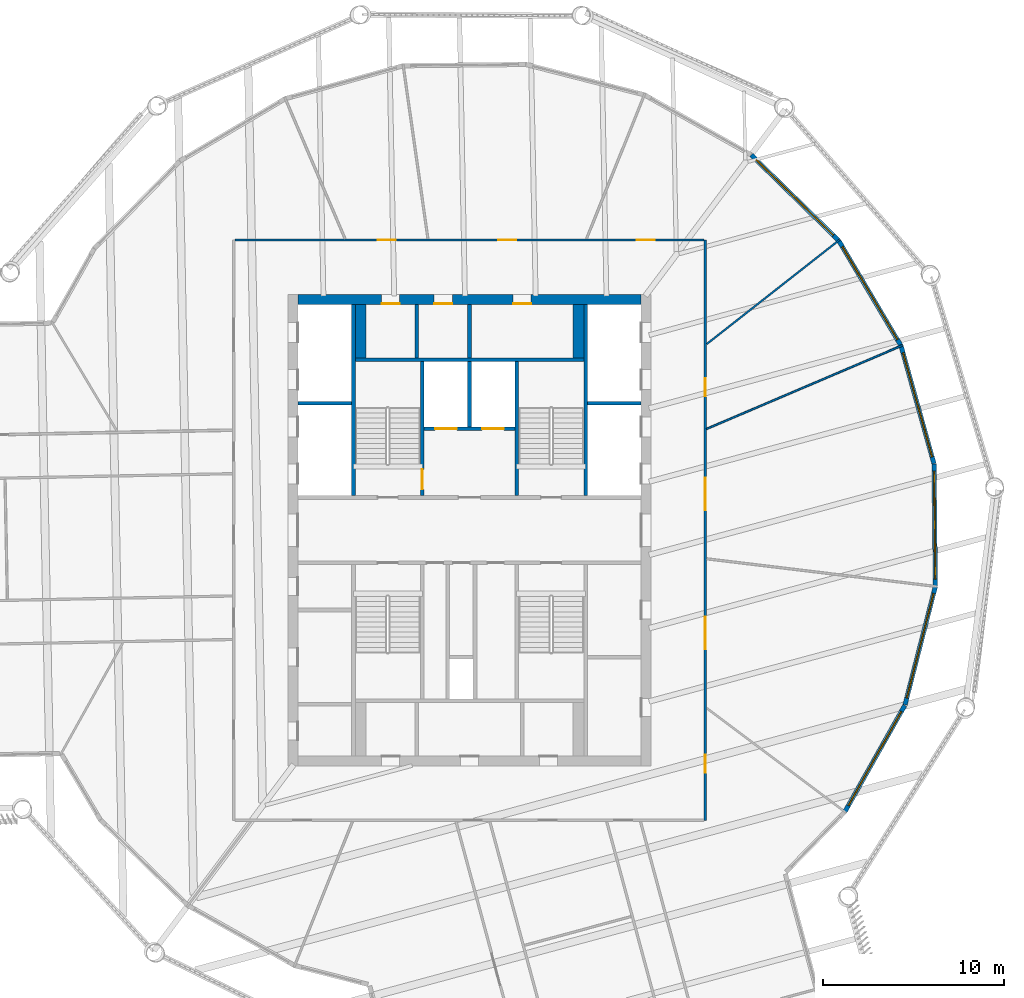
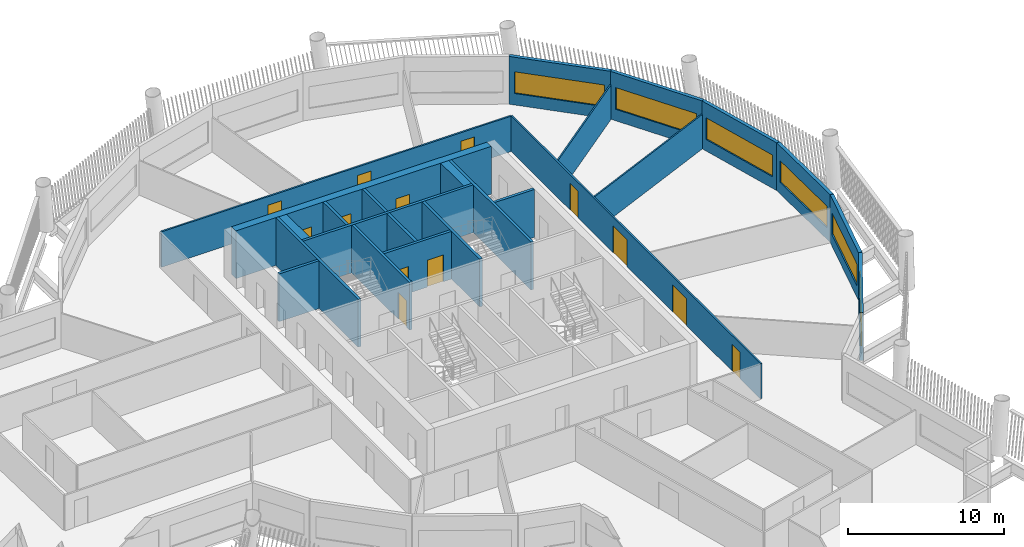
# One storey, part 6 of 15: 24 walls, 13 doors, 6 windows, 19 openings.
"""IFC4 building model written with IfcOpenShell, lengths in metres."""

from ifc_helpers import new_model, si_unit, direction, frame, frame_2d, origin, place, context, subcontext, project, spatial, rectangle, extrude, material, layer, layer_set, type_object, element, fill, save


model = new_model("IFC4")

# Units and contexts
model_context = context("Model", 3, precision=1e-05, world=origin(), true_north=direction((0.0, 1.0)))
body_context = subcontext(model_context, "Body", "Model", "MODEL_VIEW")
ifc_project = project(units=[si_unit("LENGTHUNIT", "METRE"), si_unit("AREAUNIT", "SQUARE_METRE"), si_unit("VOLUMEUNIT", "CUBIC_METRE"), si_unit("PLANEANGLEUNIT", "RADIAN"), si_unit("MASSUNIT", "GRAM", prefix="KILO")], contexts=[model_context])

# Site, building, storey
site_placement = place(None, origin())
site = spatial("IfcSite", under=ifc_project, at=site_placement, CompositionType="ELEMENT")
building_placement = place(site_placement, origin())
building = spatial("IfcBuilding", under=site, at=building_placement, Name="Tarsis Ring Headquarters", CompositionType="ELEMENT")
storey_placement = place(building_placement, frame((0.0, 0.0, 290.300048828125)))
storey = spatial("IfcBuildingStorey", under=building, at=storey_placement, Name="L68", CompositionType="ELEMENT", Elevation=290.300048828125)

# Walls
ifc_material_1 = material(Name="Blockwork", Category="masonry")
ifc_layer_1 = layer(ifc_material_1, 0.199951171875)
ifc_layer_set_1 = layer_set([ifc_layer_1], Name="Core blockwork wall 200")
wall_type_1 = type_object("IfcWallType", Name="Core blockwork wall 200", PredefinedType="PARTITIONING", material=ifc_layer_set_1)
for number, where, z_axis, x_axis, name in (
    (1, (-2.89990234375, 9.5, 0.0), (0.0, 0.0, 1.0), (0.0, 1.0, 0.0), "Core partition ND1"),
    (2, (0.0, 9.5, 0.0), (0.0, 0.0, 1.0), (0.0, 1.0, 0.0), "Core partition ND2"),
):
    element("IfcWall", number, at=place(storey_placement, frame(where, z_axis=z_axis, x_axis=x_axis)), inside=storey, type_object=wall_type_1, Name=name, PredefinedType="PARTITIONING", context=body_context, shape_type="SweptSolid", body=[
        extrude(rectangle(XDim=2.949951171875, YDim=0.199951171875, at=frame_2d((1.47509765625, 0.0))), origin(), (0.0, 0.0, 1.0), 3.739990234375),
    ])

# Wall, openings, doors
ifc_material_2 = material(Name="Concrete C50/60", Category="concrete")
ifc_layer_2 = layer(ifc_material_2, 0.550048828125)
ifc_layer_set_2 = layer_set([ifc_layer_2], Name="Core wall 550 C50/60")
wall_type_2 = type_object("IfcWallType", Name="Core wall 550 C50/60", PredefinedType="SHEAR", material=ifc_layer_set_2)
wall_1_placement = place(storey_placement, frame((-9.449951171875, 12.72509765625, 0.0), z_axis=(0.0, 0.0, 1.0), x_axis=(1.0, 0.0, 0.0)))
wall_1 = element("IfcWall", 3, at=wall_1_placement, inside=storey, type_object=wall_type_2, Name="Core wall ON", PredefinedType="SHEAR", context=body_context, shape_type="SweptSolid", body=[
    extrude(rectangle(XDim=18.89990234375, YDim=0.550048828125, at=frame_2d((9.449951171875, 0.0))), origin(), (0.0, 0.0, 1.0), 3.739990234375),
])
opening_1_placement = place(wall_1_placement, frame((4.60009765625, 0.0, 0.0)))
opening_1 = element("IfcOpeningElement", 4, at=opening_1_placement, cuts=wall_1, Name="Opening L68-C16", PredefinedType="OPENING", context=body_context, shape_type="SweptSolid", body=[
    extrude(rectangle(XDim=1.0, YDim=2.10009765625, at=frame_2d((0.5, 1.050048828125))), frame((0.0, 0.284912109375, 0.0), z_axis=(0.0, -1.0, 0.0), x_axis=(1.0, 0.0, 0.0)), (0.0, 0.0, 1.0), 0.570068359375),
])
opening_2_placement = place(wall_1_placement, frame((7.5, 0.0, 0.0)))
opening_2 = element("IfcOpeningElement", 5, at=opening_2_placement, cuts=wall_1, Name="Opening L68-C17", PredefinedType="OPENING", context=body_context, shape_type="SweptSolid", body=[
    extrude(rectangle(XDim=1.0, YDim=2.10009765625, at=frame_2d((0.5, 1.050048828125))), frame((0.0, 0.284912109375, 0.0), z_axis=(0.0, -1.0, 0.0), x_axis=(1.0, 0.0, 0.0)), (0.0, 0.0, 1.0), 0.570068359375),
])
opening_3_placement = place(wall_1_placement, frame((11.85009765625, 0.0, 0.0)))
opening_3 = element("IfcOpeningElement", 6, at=opening_3_placement, cuts=wall_1, Name="Opening L68-C18", PredefinedType="OPENING", context=body_context, shape_type="SweptSolid", body=[
    extrude(rectangle(XDim=1.0, YDim=2.10009765625, at=frame_2d((0.5, 1.050048828125))), frame((0.0, 0.284912109375, 0.0), z_axis=(0.0, -1.0, 0.0), x_axis=(1.0, 0.0, 0.0)), (0.0, 0.0, 1.0), 0.570068359375),
])
ifc_material_3 = material(Name="Steel S355", Category="steel")
door_type_1 = type_object("IfcDoorType", Name="Core room door 1000x2100", OperationType="SINGLE_SWING_LEFT", PredefinedType="DOOR", material=ifc_material_3)
door_1_placement = place(opening_1_placement, origin())
door_1 = element("IfcDoor", 7, at=door_1_placement, inside=storey, type_object=door_type_1, Name="Core room door L68", OperationType="SINGLE_SWING_LEFT", OverallHeight=2.10009765625, OverallWidth=1.0, PredefinedType="DOOR", context=body_context, shape_type="SweptSolid", body=[
    extrude(rectangle(XDim=1.0, YDim=2.10009765625, at=frame_2d((0.5, 1.050048828125))), frame((0.0, -0.22509765625, 0.0), z_axis=(0.0, -1.0, 0.0), x_axis=(1.0, 0.0, 0.0)), (0.0, 0.0, 1.0), 0.050048828125),
])
fill(opening_1, door_1)
door_2_placement = place(opening_2_placement, origin())
door_2 = element("IfcDoor", 8, at=door_2_placement, inside=storey, type_object=door_type_1, Name="Core room door L68", OperationType="SINGLE_SWING_LEFT", OverallHeight=2.10009765625, OverallWidth=1.0, PredefinedType="DOOR", context=body_context, shape_type="SweptSolid", body=[
    extrude(rectangle(XDim=1.0, YDim=2.10009765625, at=frame_2d((0.5, 1.050048828125))), frame((0.0, -0.22509765625, 0.0), z_axis=(0.0, -1.0, 0.0), x_axis=(1.0, 0.0, 0.0)), (0.0, 0.0, 1.0), 0.050048828125),
])
fill(opening_2, door_2)
door_3_placement = place(opening_3_placement, origin())
door_3 = element("IfcDoor", 9, at=door_3_placement, inside=storey, type_object=door_type_1, Name="Core room door L68", OperationType="SINGLE_SWING_LEFT", OverallHeight=2.10009765625, OverallWidth=1.0, PredefinedType="DOOR", context=body_context, shape_type="SweptSolid", body=[
    extrude(rectangle(XDim=1.0, YDim=2.10009765625, at=frame_2d((0.5, 1.050048828125))), frame((0.0, -0.22509765625, 0.0), z_axis=(0.0, -1.0, 0.0), x_axis=(1.0, 0.0, 0.0)), (0.0, 0.0, 1.0), 0.050048828125),
])
fill(opening_3, door_3)

# Walls
ifc_material_4 = material(Name="Gypsum board on steel studs", Category="steel")
ifc_layer_3 = layer(ifc_material_4, 0.10009765625)
ifc_layer_set_3 = layer_set([ifc_layer_3], Name="FL partition 100 unrated")
wall_type_3 = type_object("IfcWallType", Name="FL partition 100 unrated", PredefinedType="PARTITIONING", material=ifc_layer_set_3)
wall_2_placement = place(storey_placement, frame((13.073486328125, 5.581787109375, 0.0), z_axis=(0.0, 0.0, 1.0), x_axis=(0.919683401942, 0.392660718932, 0.0)))
element("IfcWall", 10, at=wall_2_placement, inside=storey, type_object=wall_type_3, Name="Partition PW3", PredefinedType="PARTITIONING", context=body_context, shape_type="SweptSolid", body=[
    extrude(rectangle(XDim=11.732666015625, YDim=0.10009765625, at=frame_2d((5.8662109375, 0.0))), origin(), (0.0, 0.0, 1.0), 2.699951171875),
])
wall_3_placement = place(storey_placement, frame((13.08642578125, 10.2685546875, 0.0), z_axis=(0.0, 0.0, 1.0), x_axis=(0.786733849379, 0.617292353947, 0.0)))
element("IfcWall", 11, at=wall_3_placement, inside=storey, type_object=wall_type_3, Name="Partition PW3", PredefinedType="PARTITIONING", context=body_context, shape_type="SweptSolid", body=[
    extrude(rectangle(XDim=9.313720703125, YDim=0.10009765625, at=frame_2d((4.65673828125, 0.0))), origin(), (0.0, 0.0, 1.0), 2.699951171875),
])

# Wall, openings, doors
ifc_layer_4 = layer(ifc_material_4, 0.125)
ifc_layer_set_4 = layer_set([ifc_layer_4], Name="FL partition 125 EI 60 H2770")
wall_type_4 = type_object("IfcWallType", Name="FL partition 125 EI 60 H2770", PredefinedType="PARTITIONING", material=ifc_layer_set_4)
wall_4_placement = place(storey_placement, frame((13.0, -16.0, 0.0), z_axis=(0.0, 0.0, 1.0), x_axis=(0.0, 1.0, 0.0)))
wall_4 = element("IfcWall", 12, at=wall_4_placement, inside=storey, type_object=wall_type_4, Name="Partition PW1", PredefinedType="PARTITIONING", context=body_context, shape_type="SweptSolid", body=[
    extrude(rectangle(XDim=32.0, YDim=0.125, at=frame_2d((16.0, 0.0))), origin(), (0.0, 0.0, 1.0), 2.77001953125),
])
opening_4_placement = place(wall_4_placement, frame((23.37548828125, 0.0, 0.0)))
opening_4 = element("IfcOpeningElement", 13, at=opening_4_placement, cuts=wall_4, Name="Opening D68.07", PredefinedType="OPENING", context=body_context, shape_type="SweptSolid", body=[
    extrude(rectangle(XDim=1.0, YDim=2.10009765625, at=frame_2d((0.5, 1.050048828125))), frame((0.0, 0.072509765625, 0.0), z_axis=(0.0, -1.0, 0.0), x_axis=(1.0, 0.0, 0.0)), (0.0, 0.0, 1.0), 0.14501953125),
])
opening_5_placement = place(wall_4_placement, frame((17.0908203125, 0.0, 0.0)))
opening_5 = element("IfcOpeningElement", 14, at=opening_5_placement, cuts=wall_4, Name="Opening D68.08", PredefinedType="OPENING", context=body_context, shape_type="SweptSolid", body=[
    extrude(rectangle(XDim=1.800048828125, YDim=2.10009765625, at=frame_2d((0.89990234375, 1.050048828125))), frame((0.0, 0.072509765625, 0.0), z_axis=(0.0, -1.0, 0.0), x_axis=(1.0, 0.0, 0.0)), (0.0, 0.0, 1.0), 0.14501953125),
])
opening_6_placement = place(wall_4_placement, frame((9.43896484375, 0.0, 0.0)))
opening_6 = element("IfcOpeningElement", 15, at=opening_6_placement, cuts=wall_4, Name="Opening D68.09", PredefinedType="OPENING", context=body_context, shape_type="SweptSolid", body=[
    extrude(rectangle(XDim=1.800048828125, YDim=2.10009765625, at=frame_2d((0.89990234375, 1.050048828125))), frame((0.0, 0.072509765625, 0.0), z_axis=(0.0, -1.0, 0.0), x_axis=(1.0, 0.0, 0.0)), (0.0, 0.0, 1.0), 0.14501953125),
])
opening_7_placement = place(wall_4_placement, frame((2.623291015625, 0.0, 0.0)))
opening_7 = element("IfcOpeningElement", 16, at=opening_7_placement, cuts=wall_4, Name="Opening D68.10", PredefinedType="OPENING", context=body_context, shape_type="SweptSolid", body=[
    extrude(rectangle(XDim=1.0, YDim=2.10009765625, at=frame_2d((0.5, 1.050048828125))), frame((0.0, 0.072509765625, 0.0), z_axis=(0.0, -1.0, 0.0), x_axis=(1.0, 0.0, 0.0)), (0.0, 0.0, 1.0), 0.14501953125),
])
ifc_material_5 = material(Name="Fire-rated timber door leaf in steel frame", Category="steel")
door_type_2 = type_object("IfcDoorType", Name="FL door FD60-1000", OperationType="NOTDEFINED", PredefinedType="DOOR", material=ifc_material_5)
door_4_placement = place(opening_4_placement, origin())
door_4 = element("IfcDoor", 17, at=door_4_placement, inside=storey, type_object=door_type_2, Name="Door D68.07", OperationType="SINGLE_SWING_LEFT", OverallHeight=2.10009765625, OverallWidth=1.0, PredefinedType="DOOR", context=body_context, shape_type="SweptSolid", body=[
    extrude(rectangle(XDim=1.0, YDim=2.10009765625, at=frame_2d((0.5, 1.050048828125))), frame((0.0, 0.02490234375, 0.0), z_axis=(0.0, -1.0, 0.0), x_axis=(1.0, 0.0, 0.0)), (0.0, 0.0, 1.0), 0.050048828125),
])
fill(opening_4, door_4)
door_5_placement = place(opening_7_placement, origin())
door_5 = element("IfcDoor", 18, at=door_5_placement, inside=storey, type_object=door_type_2, Name="Door D68.10", OperationType="SINGLE_SWING_RIGHT", OverallHeight=2.10009765625, OverallWidth=1.0, PredefinedType="DOOR", context=body_context, shape_type="SweptSolid", body=[
    extrude(rectangle(XDim=1.0, YDim=2.10009765625, at=frame_2d((0.5, 1.050048828125))), frame((0.0, 0.02490234375, 0.0), z_axis=(0.0, -1.0, 0.0), x_axis=(1.0, 0.0, 0.0)), (0.0, 0.0, 1.0), 0.050048828125),
])
fill(opening_7, door_5)
door_type_3 = type_object("IfcDoorType", Name="FL door FD60-1800", OperationType="DOUBLE_DOOR_SINGLE_SWING", PredefinedType="DOOR", material=ifc_material_5)
door_6_placement = place(opening_5_placement, origin())
door_6 = element("IfcDoor", 19, at=door_6_placement, inside=storey, type_object=door_type_3, Name="Door D68.08", OperationType="DOUBLE_DOOR_SINGLE_SWING", OverallHeight=2.10009765625, OverallWidth=1.800048828125, PredefinedType="DOOR", context=body_context, shape_type="SweptSolid", body=[
    extrude(rectangle(XDim=1.800048828125, YDim=2.10009765625, at=frame_2d((0.89990234375, 1.050048828125))), frame((0.0, 0.02490234375, 0.0), z_axis=(0.0, -1.0, 0.0), x_axis=(1.0, 0.0, 0.0)), (0.0, 0.0, 1.0), 0.050048828125),
])
fill(opening_5, door_6)
door_7_placement = place(opening_6_placement, origin())
door_7 = element("IfcDoor", 20, at=door_7_placement, inside=storey, type_object=door_type_3, Name="Door D68.09", OperationType="DOUBLE_DOOR_SINGLE_SWING", OverallHeight=2.10009765625, OverallWidth=1.800048828125, PredefinedType="DOOR", context=body_context, shape_type="SweptSolid", body=[
    extrude(rectangle(XDim=1.800048828125, YDim=2.10009765625, at=frame_2d((0.89990234375, 1.050048828125))), frame((0.0, 0.02490234375, 0.0), z_axis=(0.0, -1.0, 0.0), x_axis=(1.0, 0.0, 0.0)), (0.0, 0.0, 1.0), 0.050048828125),
])
fill(opening_6, door_7)

wall_5_placement = place(storey_placement, frame((-12.93994140625, 16.0, 0.0), z_axis=(0.0, 0.0, 1.0), x_axis=(1.0, 0.0, 0.0)))
wall_5 = element("IfcWall", 21, at=wall_5_placement, inside=storey, type_object=wall_type_4, Name="Partition PW1", PredefinedType="PARTITIONING", context=body_context, shape_type="SweptSolid", body=[
    extrude(rectangle(XDim=25.8798828125, YDim=0.125, at=frame_2d((12.93994140625, 0.0))), origin(), (0.0, 0.0, 1.0), 2.77001953125),
])
opening_8_placement = place(wall_5_placement, frame((7.883056640625, 0.0, 0.0)))
opening_8 = element("IfcOpeningElement", 22, at=opening_8_placement, cuts=wall_5, Name="Opening D68.04", PredefinedType="OPENING", context=body_context, shape_type="SweptSolid", body=[
    extrude(rectangle(XDim=1.0, YDim=2.10009765625, at=frame_2d((0.5, 1.050048828125))), frame((0.0, 0.072509765625, 0.0), z_axis=(0.0, -1.0, 0.0), x_axis=(1.0, 0.0, 0.0)), (0.0, 0.0, 1.0), 0.14501953125),
])
opening_9_placement = place(wall_5_placement, frame((14.51123046875, 0.0, 0.0)))
opening_9 = element("IfcOpeningElement", 23, at=opening_9_placement, cuts=wall_5, Name="Opening D68.05", PredefinedType="OPENING", context=body_context, shape_type="SweptSolid", body=[
    extrude(rectangle(XDim=1.0, YDim=2.10009765625, at=frame_2d((0.5, 1.050048828125))), frame((0.0, 0.072509765625, 0.0), z_axis=(0.0, -1.0, 0.0), x_axis=(1.0, 0.0, 0.0)), (0.0, 0.0, 1.0), 0.14501953125),
])
opening_10_placement = place(wall_5_placement, frame((22.152587890625, 0.0, 0.0)))
opening_10 = element("IfcOpeningElement", 24, at=opening_10_placement, cuts=wall_5, Name="Opening D68.06", PredefinedType="OPENING", context=body_context, shape_type="SweptSolid", body=[
    extrude(rectangle(XDim=1.0, YDim=2.10009765625, at=frame_2d((0.5, 1.050048828125))), frame((0.0, 0.072509765625, 0.0), z_axis=(0.0, -1.0, 0.0), x_axis=(1.0, 0.0, 0.0)), (0.0, 0.0, 1.0), 0.14501953125),
])
door_8_placement = place(opening_8_placement, origin())
door_8 = element("IfcDoor", 25, at=door_8_placement, inside=storey, type_object=door_type_2, Name="Door D68.04", OperationType="SINGLE_SWING_RIGHT", OverallHeight=2.10009765625, OverallWidth=1.0, PredefinedType="DOOR", context=body_context, shape_type="SweptSolid", body=[
    extrude(rectangle(XDim=1.0, YDim=2.10009765625, at=frame_2d((0.5, 1.050048828125))), frame((0.0, 0.02490234375, 0.0), z_axis=(0.0, -1.0, 0.0), x_axis=(1.0, 0.0, 0.0)), (0.0, 0.0, 1.0), 0.050048828125),
])
fill(opening_8, door_8)
door_9_placement = place(opening_9_placement, origin())
door_9 = element("IfcDoor", 26, at=door_9_placement, inside=storey, type_object=door_type_2, Name="Door D68.05", OperationType="SINGLE_SWING_LEFT", OverallHeight=2.10009765625, OverallWidth=1.0, PredefinedType="DOOR", context=body_context, shape_type="SweptSolid", body=[
    extrude(rectangle(XDim=1.0, YDim=2.10009765625, at=frame_2d((0.5, 1.050048828125))), frame((0.0, 0.02490234375, 0.0), z_axis=(0.0, -1.0, 0.0), x_axis=(1.0, 0.0, 0.0)), (0.0, 0.0, 1.0), 0.050048828125),
])
fill(opening_9, door_9)
door_10_placement = place(opening_10_placement, origin())
door_10 = element("IfcDoor", 27, at=door_10_placement, inside=storey, type_object=door_type_2, Name="Door D68.06", OperationType="SINGLE_SWING_RIGHT", OverallHeight=2.10009765625, OverallWidth=1.0, PredefinedType="DOOR", context=body_context, shape_type="SweptSolid", body=[
    extrude(rectangle(XDim=1.0, YDim=2.10009765625, at=frame_2d((0.5, 1.050048828125))), frame((0.0, 0.02490234375, 0.0), z_axis=(0.0, -1.0, 0.0), x_axis=(1.0, 0.0, 0.0)), (0.0, 0.0, 1.0), 0.050048828125),
])
fill(opening_10, door_10)

# Wall, opening, window
ifc_material_6 = material(Name="Terracotta clad insulated panel wall", Category="masonry")
ifc_layer_5 = layer(ifc_material_6, 0.25)
ifc_layer_set_5 = layer_set([ifc_layer_5], Name="Facade wall terracotta panel 250")
wall_type_5 = type_object("IfcWallType", Name="Facade wall terracotta panel 250", PredefinedType="STANDARD", material=ifc_layer_set_5)
wall_6_placement = place(storey_placement, frame((20.70458984375, -15.513671875, 0.0), z_axis=(0.0, 0.0, 1.0), x_axis=(0.490566444646, 0.871403788945, 0.0)))
wall_6 = element("IfcWall", 28, at=wall_6_placement, inside=storey, type_object=wall_type_5, Name="External wall L68-18", PredefinedType="STANDARD", context=body_context, shape_type="SweptSolid", body=[
    extrude(rectangle(XDim=6.721435546875, YDim=0.25, at=frame_2d((3.36083984375, 0.0))), origin(), (0.0, 0.0, 1.0), 3.739990234375),
])
opening_11_placement = place(wall_6_placement, frame((0.3857421875, 0.0, 0.89990234375)))
opening_11 = element("IfcOpeningElement", 29, at=opening_11_placement, cuts=wall_6, Name="Opening WN07", PredefinedType="OPENING", context=body_context, shape_type="SweptSolid", body=[
    extrude(rectangle(XDim=5.949951171875, YDim=1.699951171875, at=frame_2d((2.97509765625, 0.85009765625))), frame((0.0, 0.135009765625, 0.0), z_axis=(0.0, -1.0, 0.0), x_axis=(1.0, 0.0, 0.0)), (0.0, 0.0, 1.0), 0.27001953125),
])
ifc_material_7 = material(Name="Aluminium framed double glazing", Category="aluminium")
window_type = type_object("IfcWindowType", Name="Facade window 5950 x 1700", PartitioningType="SINGLE_PANEL", PredefinedType="WINDOW", material=ifc_material_7)
window_1_placement = place(opening_11_placement, origin())
window_1 = element("IfcWindow", 30, at=window_1_placement, inside=storey, type_object=window_type, Name="Window L68-18.1", OverallHeight=1.699951171875, OverallWidth=5.949951171875, PartitioningType="SINGLE_PANEL", PredefinedType="WINDOW", context=body_context, shape_type="SweptSolid", body=[
    extrude(rectangle(XDim=5.949951171875, YDim=1.699951171875, at=frame_2d((2.97509765625, 0.85009765625))), frame((0.0, 0.030029296875, 0.0), z_axis=(0.0, -1.0, 0.0), x_axis=(1.0, 0.0, 0.0)), (0.0, 0.0, 1.0), 0.06005859375),
])
fill(opening_11, window_1)

wall_7_placement = place(storey_placement, frame((24.01416015625, -9.626220703125, 0.0), z_axis=(0.0, 0.0, 1.0), x_axis=(0.248377098077, 0.968663417886, 0.0)))
wall_7 = element("IfcWall", 31, at=wall_7_placement, inside=storey, type_object=wall_type_5, Name="External wall L68-19", PredefinedType="STANDARD", context=body_context, shape_type="SweptSolid", body=[
    extrude(rectangle(XDim=6.721435546875, YDim=0.25, at=frame_2d((3.36083984375, 0.0))), origin(), (0.0, 0.0, 1.0), 3.739990234375),
])
opening_12_placement = place(wall_7_placement, frame((0.3857421875, 0.0, 0.89990234375)))
opening_12 = element("IfcOpeningElement", 32, at=opening_12_placement, cuts=wall_7, Name="Opening WN07", PredefinedType="OPENING", context=body_context, shape_type="SweptSolid", body=[
    extrude(rectangle(XDim=5.949951171875, YDim=1.699951171875, at=frame_2d((2.97509765625, 0.85009765625))), frame((0.0, 0.135009765625, 0.0), z_axis=(0.0, -1.0, 0.0), x_axis=(1.0, 0.0, 0.0)), (0.0, 0.0, 1.0), 0.27001953125),
])
window_2_placement = place(opening_12_placement, origin())
window_2 = element("IfcWindow", 33, at=window_2_placement, inside=storey, type_object=window_type, Name="Window L68-19.1", OverallHeight=1.699951171875, OverallWidth=5.949951171875, PartitioningType="SINGLE_PANEL", PredefinedType="WINDOW", context=body_context, shape_type="SweptSolid", body=[
    extrude(rectangle(XDim=5.949951171875, YDim=1.699951171875, at=frame_2d((2.97509765625, 0.85009765625))), frame((0.0, 0.030029296875, 0.0), z_axis=(0.0, -1.0, 0.0), x_axis=(1.0, 0.0, 0.0)), (0.0, 0.0, 1.0), 0.06005859375),
])
fill(opening_12, window_2)

wall_8_placement = place(storey_placement, frame((25.6875, -3.0830078125, 0.0), z_axis=(0.0, 0.0, 1.0), x_axis=(-0.010823920925, 0.999941419652, 0.0)))
wall_8 = element("IfcWall", 34, at=wall_8_placement, inside=storey, type_object=wall_type_5, Name="External wall L68-20", PredefinedType="STANDARD", context=body_context, shape_type="SweptSolid", body=[
    extrude(rectangle(XDim=6.7216796875, YDim=0.25, at=frame_2d((3.36083984375, 0.0))), origin(), (0.0, 0.0, 1.0), 3.739990234375),
])
opening_13_placement = place(wall_8_placement, frame((0.3857421875, 0.0, 0.89990234375)))
opening_13 = element("IfcOpeningElement", 35, at=opening_13_placement, cuts=wall_8, Name="Opening WN07", PredefinedType="OPENING", context=body_context, shape_type="SweptSolid", body=[
    extrude(rectangle(XDim=5.949951171875, YDim=1.699951171875, at=frame_2d((2.97509765625, 0.85009765625))), frame((0.0, 0.135009765625, 0.0), z_axis=(0.0, -1.0, 0.0), x_axis=(1.0, 0.0, 0.0)), (0.0, 0.0, 1.0), 0.27001953125),
])
window_3_placement = place(opening_13_placement, origin())
window_3 = element("IfcWindow", 36, at=window_3_placement, inside=storey, type_object=window_type, Name="Window L68-20.1", OverallHeight=1.699951171875, OverallWidth=5.949951171875, PartitioningType="SINGLE_PANEL", PredefinedType="WINDOW", context=body_context, shape_type="SweptSolid", body=[
    extrude(rectangle(XDim=5.949951171875, YDim=1.699951171875, at=frame_2d((2.97509765625, 0.85009765625))), frame((0.0, 0.030029296875, 0.0), z_axis=(0.0, -1.0, 0.0), x_axis=(1.0, 0.0, 0.0)), (0.0, 0.0, 1.0), 0.06005859375),
])
fill(opening_13, window_3)

wall_9_placement = place(storey_placement, frame((25.610107421875, 3.67041015625, 0.0), z_axis=(0.0, 0.0, 1.0), x_axis=(-0.269252676613, 0.963069569728, 0.0)))
wall_9 = element("IfcWall", 37, at=wall_9_placement, inside=storey, type_object=wall_type_5, Name="External wall L68-21", PredefinedType="STANDARD", context=body_context, shape_type="SweptSolid", body=[
    extrude(rectangle(XDim=6.7216796875, YDim=0.25, at=frame_2d((3.36083984375, 0.0))), origin(), (0.0, 0.0, 1.0), 3.739990234375),
])
opening_14_placement = place(wall_9_placement, frame((0.3857421875, 0.0, 0.89990234375)))
opening_14 = element("IfcOpeningElement", 38, at=opening_14_placement, cuts=wall_9, Name="Opening WN07", PredefinedType="OPENING", context=body_context, shape_type="SweptSolid", body=[
    extrude(rectangle(XDim=5.949951171875, YDim=1.699951171875, at=frame_2d((2.97509765625, 0.85009765625))), frame((0.0, 0.135009765625, 0.0), z_axis=(0.0, -1.0, 0.0), x_axis=(1.0, 0.0, 0.0)), (0.0, 0.0, 1.0), 0.27001953125),
])
window_4_placement = place(opening_14_placement, origin())
window_4 = element("IfcWindow", 39, at=window_4_placement, inside=storey, type_object=window_type, Name="Window L68-21.1", OverallHeight=1.699951171875, OverallWidth=5.949951171875, PartitioningType="SINGLE_PANEL", PredefinedType="WINDOW", context=body_context, shape_type="SweptSolid", body=[
    extrude(rectangle(XDim=5.949951171875, YDim=1.699951171875, at=frame_2d((2.97509765625, 0.85009765625))), frame((0.0, 0.030029296875, 0.0), z_axis=(0.0, -1.0, 0.0), x_axis=(1.0, 0.0, 0.0)), (0.0, 0.0, 1.0), 0.06005859375),
])
fill(opening_14, window_4)

wall_10_placement = place(storey_placement, frame((23.787353515625, 10.173828125, 0.0), z_axis=(0.0, 0.0, 1.0), x_axis=(-0.509326383867, 0.860573433646, 0.0)))
wall_10 = element("IfcWall", 40, at=wall_10_placement, inside=storey, type_object=wall_type_5, Name="External wall L68-22", PredefinedType="STANDARD", context=body_context, shape_type="SweptSolid", body=[
    extrude(rectangle(XDim=6.72119140625, YDim=0.25, at=frame_2d((3.360595703125, 0.0))), origin(), (0.0, 0.0, 1.0), 3.739990234375),
])
opening_15_placement = place(wall_10_placement, frame((0.3857421875, 0.0, 0.89990234375)))
opening_15 = element("IfcOpeningElement", 41, at=opening_15_placement, cuts=wall_10, Name="Opening WN07", PredefinedType="OPENING", context=body_context, shape_type="SweptSolid", body=[
    extrude(rectangle(XDim=5.949951171875, YDim=1.699951171875, at=frame_2d((2.97509765625, 0.85009765625))), frame((0.0, 0.135009765625, 0.0), z_axis=(0.0, -1.0, 0.0), x_axis=(1.0, 0.0, 0.0)), (0.0, 0.0, 1.0), 0.27001953125),
])
window_5_placement = place(opening_15_placement, origin())
window_5 = element("IfcWindow", 42, at=window_5_placement, inside=storey, type_object=window_type, Name="Window L68-22.1", OverallHeight=1.699951171875, OverallWidth=5.949951171875, PartitioningType="SINGLE_PANEL", PredefinedType="WINDOW", context=body_context, shape_type="SweptSolid", body=[
    extrude(rectangle(XDim=5.949951171875, YDim=1.699951171875, at=frame_2d((2.97509765625, 0.85009765625))), frame((0.0, 0.030029296875, 0.0), z_axis=(0.0, -1.0, 0.0), x_axis=(1.0, 0.0, 0.0)), (0.0, 0.0, 1.0), 0.06005859375),
])
fill(opening_15, window_5)

wall_11_placement = place(storey_placement, frame((20.34375, 15.983642578125, 0.0), z_axis=(0.0, 0.0, 1.0), x_axis=(-0.714711259509, 0.699419627642, 0.0)))
wall_11 = element("IfcWall", 43, at=wall_11_placement, inside=storey, type_object=wall_type_5, Name="External wall L68-23", PredefinedType="STANDARD", context=body_context, shape_type="SweptSolid", body=[
    extrude(rectangle(XDim=6.721435546875, YDim=0.25, at=frame_2d((3.36083984375, 0.0))), origin(), (0.0, 0.0, 1.0), 3.739990234375),
])
opening_16_placement = place(wall_11_placement, frame((0.3857421875, 0.0, 0.89990234375)))
opening_16 = element("IfcOpeningElement", 44, at=opening_16_placement, cuts=wall_11, Name="Opening WN07", PredefinedType="OPENING", context=body_context, shape_type="SweptSolid", body=[
    extrude(rectangle(XDim=5.949951171875, YDim=1.699951171875, at=frame_2d((2.97509765625, 0.85009765625))), frame((0.0, 0.135009765625, 0.0), z_axis=(0.0, -1.0, 0.0), x_axis=(1.0, 0.0, 0.0)), (0.0, 0.0, 1.0), 0.27001953125),
])
window_6_placement = place(opening_16_placement, origin())
window_6 = element("IfcWindow", 45, at=window_6_placement, inside=storey, type_object=window_type, Name="Window L68-23.1", OverallHeight=1.699951171875, OverallWidth=5.949951171875, PartitioningType="SINGLE_PANEL", PredefinedType="WINDOW", context=body_context, shape_type="SweptSolid", body=[
    extrude(rectangle(XDim=5.949951171875, YDim=1.699951171875, at=frame_2d((2.97509765625, 0.85009765625))), frame((0.0, 0.030029296875, 0.0), z_axis=(0.0, -1.0, 0.0), x_axis=(1.0, 0.0, 0.0)), (0.0, 0.0, 1.0), 0.06005859375),
])
fill(opening_16, window_6)

# Walls
ifc_material_8 = material(Name="Concrete C32/40", Category="concrete")
ifc_layer_6 = layer(ifc_material_8, 0.60009765625)
ifc_layer_set_6 = layer_set([ifc_layer_6], Name="Shaft end wall 600 C32/40")
wall_type_6 = type_object("IfcWallType", Name="Shaft end wall 600 C32/40", PredefinedType="SOLIDWALL", material=ifc_layer_set_6)
for number, where, z_axis, x_axis, name in (
    (46, (-6.0, 9.5, 0.0), (0.0, 0.0, 1.0), (0.0, 1.0, 0.0), "Core shaft wall NNE1"),
    (47, (6.0, 9.5, 0.0), (0.0, 0.0, 1.0), (0.0, 1.0, 0.0), "Core shaft wall NNE2"),
):
    element("IfcWall", number, at=place(storey_placement, frame(where, z_axis=z_axis, x_axis=x_axis)), inside=storey, type_object=wall_type_6, Name=name, PredefinedType="SOLIDWALL", context=body_context, shape_type="SweptSolid", body=[
        extrude(rectangle(XDim=2.949951171875, YDim=0.60009765625, at=frame_2d((1.47509765625, 0.0))), origin(), (0.0, 0.0, 1.0), 3.739990234375),
    ])
ifc_layer_7 = layer(ifc_material_8, 0.199951171875)
ifc_layer_set_7 = layer_set([ifc_layer_7], Name="Shaft wall 200 C32/40")
wall_type_7 = type_object("IfcWallType", Name="Shaft wall 200 C32/40", PredefinedType="SOLIDWALL", material=ifc_layer_set_7)
for number, where, z_axis, x_axis, name in (
    (48, (-6.39990234375, 1.89990234375, 0.0), (0.0, 0.0, 1.0), (0.0, 1.0, 0.0), "Core shaft wall WB2"),
    (49, (6.39990234375, 1.89990234375, 0.0), (0.0, 0.0, 1.0), (0.0, 1.0, 0.0), "Core shaft wall EB2"),
):
    element("IfcWall", number, at=place(storey_placement, frame(where, z_axis=z_axis, x_axis=x_axis)), inside=storey, type_object=wall_type_7, Name=name, PredefinedType="SOLIDWALL", context=body_context, shape_type="SweptSolid", body=[
        extrude(rectangle(XDim=10.550048828125, YDim=0.199951171875, at=frame_2d((5.27490234375, 0.0))), origin(), (0.0, 0.0, 1.0), 3.739990234375),
    ])
wall_12_placement = place(storey_placement, frame((-6.300048828125, 9.39990234375, 0.0), z_axis=(0.0, 0.0, 1.0), x_axis=(1.0, 0.0, 0.0)))
element("IfcWall", 50, at=wall_12_placement, inside=storey, type_object=wall_type_7, Name="Core shaft wall NB", PredefinedType="SOLIDWALL", context=body_context, shape_type="SweptSolid", body=[
    extrude(rectangle(XDim=12.60009765625, YDim=0.199951171875, at=frame_2d((6.300048828125, 0.0))), origin(), (0.0, 0.0, 1.0), 3.739990234375),
])

# Wall, opening, door
wall_13_placement = place(storey_placement, frame((-2.60009765625, 1.89990234375, 0.0), z_axis=(0.0, 0.0, 1.0), x_axis=(0.0, 1.0, 0.0)))
wall_13 = element("IfcWall", 51, at=wall_13_placement, inside=storey, type_object=wall_type_7, Name="Core shaft wall SW1", PredefinedType="SOLIDWALL", context=body_context, shape_type="SweptSolid", body=[
    extrude(rectangle(XDim=7.400146484375, YDim=0.199951171875, at=frame_2d((3.7001953125, 0.0))), origin(), (0.0, 0.0, 1.0), 3.739990234375),
])
opening_17_placement = place(wall_13_placement, frame((0.35009765625, 0.0, 0.0)))
opening_17 = element("IfcOpeningElement", 52, at=opening_17_placement, cuts=wall_13, Name="Opening L68-C30", PredefinedType="OPENING", context=body_context, shape_type="SweptSolid", body=[
    extrude(rectangle(XDim=1.10009765625, YDim=2.10009765625, at=frame_2d((0.550048828125, 1.050048828125))), frame((0.0, 0.10986328125, 0.0), z_axis=(0.0, -1.0, 0.0), x_axis=(1.0, 0.0, 0.0)), (0.0, 0.0, 1.0), 0.219970703125),
])
door_type_4 = type_object("IfcDoorType", Name="Stair door 1100x2100", OperationType="SINGLE_SWING_LEFT", PredefinedType="DOOR", material=ifc_material_3)
door_11_placement = place(opening_17_placement, origin())
door_11 = element("IfcDoor", 53, at=door_11_placement, inside=storey, type_object=door_type_4, Name="Stair door L68", OperationType="SINGLE_SWING_LEFT", OverallHeight=2.10009765625, OverallWidth=1.10009765625, PredefinedType="DOOR", context=body_context, shape_type="SweptSolid", body=[
    extrude(rectangle(XDim=1.10009765625, YDim=2.10009765625, at=frame_2d((0.550048828125, 1.050048828125))), frame((0.0, 0.02490234375, 0.0), z_axis=(0.0, -1.0, 0.0), x_axis=(1.0, 0.0, 0.0)), (0.0, 0.0, 1.0), 0.050048828125),
])
fill(opening_17, door_11)

# Wall
wall_14_placement = place(storey_placement, frame((2.60009765625, 1.89990234375, 0.0), z_axis=(0.0, 0.0, 1.0), x_axis=(0.0, 1.0, 0.0)))
element("IfcWall", 54, at=wall_14_placement, inside=storey, type_object=wall_type_7, Name="Core shaft wall SW2", PredefinedType="SOLIDWALL", context=body_context, shape_type="SweptSolid", body=[
    extrude(rectangle(XDim=7.400146484375, YDim=0.199951171875, at=frame_2d((3.7001953125, 0.0))), origin(), (0.0, 0.0, 1.0), 3.739990234375),
])

# Wall, openings, doors
wall_15_placement = place(storey_placement, frame((-2.5, 5.60009765625, 0.0), z_axis=(0.0, 0.0, 1.0), x_axis=(1.0, 0.0, 0.0)))
wall_15 = element("IfcWall", 55, at=wall_15_placement, inside=storey, type_object=wall_type_7, Name="Core shaft wall FFN", PredefinedType="SOLIDWALL", context=body_context, shape_type="SweptSolid", body=[
    extrude(rectangle(XDim=5.0, YDim=0.199951171875, at=frame_2d((2.5, 0.0))), origin(), (0.0, 0.0, 1.0), 3.739990234375),
])
opening_18_placement = place(wall_15_placement, frame((0.60009765625, 0.0, 0.0)))
opening_18 = element("IfcOpeningElement", 56, at=opening_18_placement, cuts=wall_15, Name="Opening LDF-1", PredefinedType="OPENING", context=body_context, shape_type="SweptSolid", body=[
    extrude(rectangle(XDim=1.199951171875, YDim=2.10009765625, at=frame_2d((0.60009765625, 1.050048828125))), frame((0.0, 0.10986328125, 0.0), z_axis=(0.0, -1.0, 0.0), x_axis=(1.0, 0.0, 0.0)), (0.0, 0.0, 1.0), 0.219970703125),
])
opening_19_placement = place(wall_15_placement, frame((3.199951171875, 0.0, 0.0)))
opening_19 = element("IfcOpeningElement", 57, at=opening_19_placement, cuts=wall_15, Name="Opening LDF-2", PredefinedType="OPENING", context=body_context, shape_type="SweptSolid", body=[
    extrude(rectangle(XDim=1.199951171875, YDim=2.10009765625, at=frame_2d((0.60009765625, 1.050048828125))), frame((0.0, 0.10986328125, 0.0), z_axis=(0.0, -1.0, 0.0), x_axis=(1.0, 0.0, 0.0)), (0.0, 0.0, 1.0), 0.219970703125),
])
door_type_5 = type_object("IfcDoorType", Name="Firefighting landing door 1200x2100", OperationType="SLIDING_TO_LEFT", PredefinedType="DOOR", material=ifc_material_3)
door_12_placement = place(opening_18_placement, origin())
door_12 = element("IfcDoor", 58, at=door_12_placement, inside=storey, type_object=door_type_5, Name="Landing door FF1 L68", OperationType="SLIDING_TO_LEFT", OverallHeight=2.10009765625, OverallWidth=1.199951171875, PredefinedType="DOOR", context=body_context, shape_type="SweptSolid", body=[
    extrude(rectangle(XDim=1.199951171875, YDim=2.10009765625, at=frame_2d((0.60009765625, 1.050048828125))), frame((0.0, 0.02490234375, 0.0), z_axis=(0.0, -1.0, 0.0), x_axis=(1.0, 0.0, 0.0)), (0.0, 0.0, 1.0), 0.050048828125),
])
fill(opening_18, door_12)
door_13_placement = place(opening_19_placement, origin())
door_13 = element("IfcDoor", 59, at=door_13_placement, inside=storey, type_object=door_type_5, Name="Landing door FF2 L68", OperationType="SLIDING_TO_LEFT", OverallHeight=2.10009765625, OverallWidth=1.199951171875, PredefinedType="DOOR", context=body_context, shape_type="SweptSolid", body=[
    extrude(rectangle(XDim=1.199951171875, YDim=2.10009765625, at=frame_2d((0.60009765625, 1.050048828125))), frame((0.0, 0.02490234375, 0.0), z_axis=(0.0, -1.0, 0.0), x_axis=(1.0, 0.0, 0.0)), (0.0, 0.0, 1.0), 0.050048828125),
])
fill(opening_19, door_13)

# Walls
wall_16_placement = place(storey_placement, frame((0.0, 5.699951171875, 0.0), z_axis=(0.0, 0.0, 1.0), x_axis=(0.0, 1.0, 0.0)))
element("IfcWall", 60, at=wall_16_placement, inside=storey, type_object=wall_type_7, Name="Core shaft wall FFD", PredefinedType="SOLIDWALL", context=body_context, shape_type="SweptSolid", body=[
    extrude(rectangle(XDim=3.60009765625, YDim=0.199951171875, at=frame_2d((1.800048828125, 0.0))), origin(), (0.0, 0.0, 1.0), 3.739990234375),
])
for number, where, z_axis, x_axis, name in (
    (61, (-9.449951171875, 7.0, 0.0), (0.0, 0.0, 1.0), (1.0, 0.0, 0.0), "Core shaft wall WD6"),
    (62, (6.5, 7.0, 0.0), (0.0, 0.0, 1.0), (1.0, 0.0, 0.0), "Core shaft wall ED6"),
):
    element("IfcWall", number, at=place(storey_placement, frame(where, z_axis=z_axis, x_axis=x_axis)), inside=storey, type_object=wall_type_7, Name=name, PredefinedType="SOLIDWALL", context=body_context, shape_type="SweptSolid", body=[
        extrude(rectangle(XDim=2.949951171875, YDim=0.199951171875, at=frame_2d((1.47509765625, 0.0))), origin(), (0.0, 0.0, 1.0), 3.739990234375),
    ])

save(model, "model.ifc")
